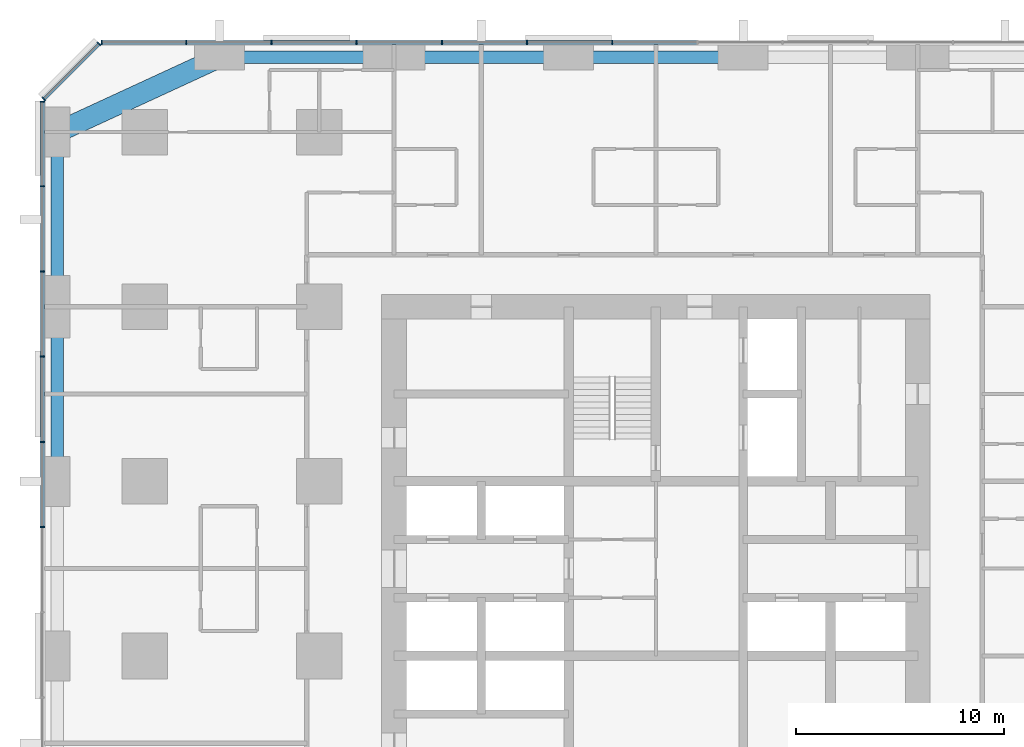
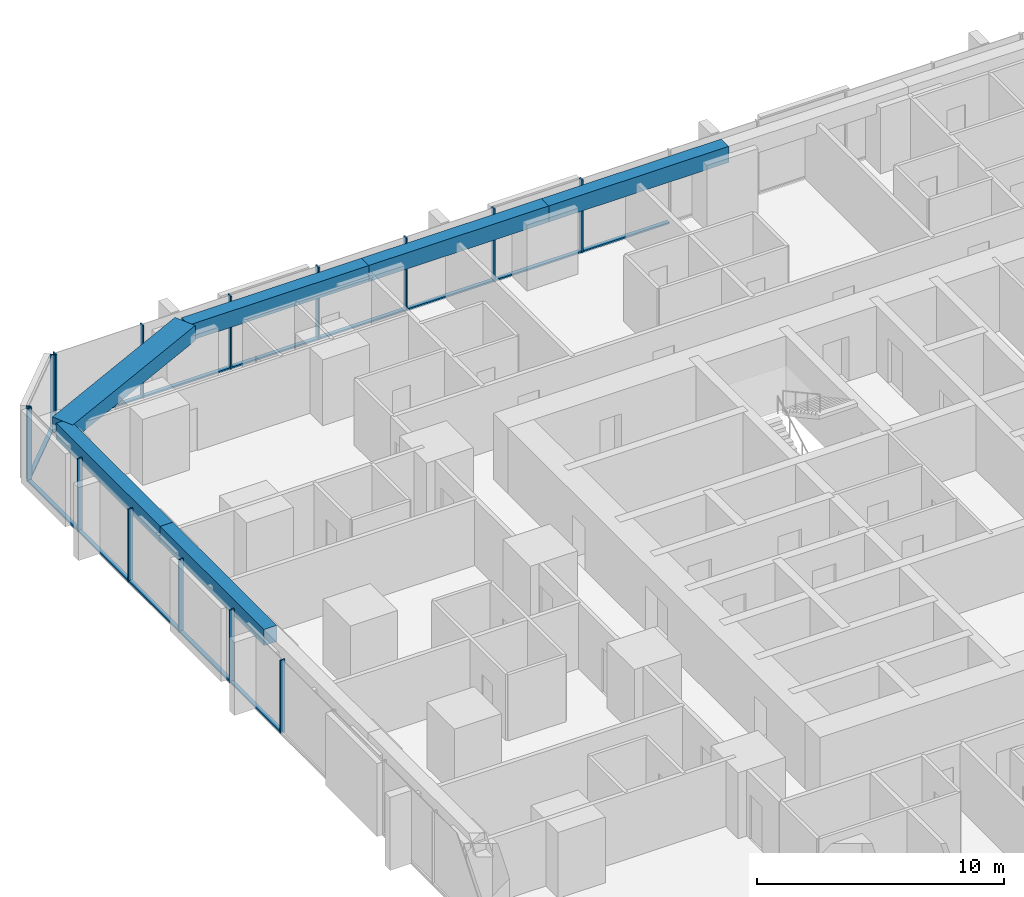
# One storey, part 5 of 13: 28 members, 6 beams, 3 elements without a shape of their own.
"""IFC4 building model written with IfcOpenShell, lengths in metres."""

from ifc_helpers import new_model, si_unit, direction, frame, origin, origin_2d, place, context, subcontext, project, spatial, rectangle, extrude, material, material_profile, profile_set, type_object, element, aggregate, save


model = new_model("IFC4")

# Units and contexts
model_context = context("Model", 3, precision=1e-05, world=origin(), true_north=direction((0.0, 1.0)))
body_context = subcontext(model_context, "Body", "Model", "MODEL_VIEW")
ifc_project = project(units=[si_unit("LENGTHUNIT", "METRE"), si_unit("AREAUNIT", "SQUARE_METRE"), si_unit("VOLUMEUNIT", "CUBIC_METRE"), si_unit("PLANEANGLEUNIT", "RADIAN"), si_unit("MASSUNIT", "GRAM", prefix="KILO")], contexts=[model_context])

# Site, building, storey
site_placement = place(None, origin())
site = spatial("IfcSite", under=ifc_project, at=site_placement, CompositionType="ELEMENT")
building_placement = place(site_placement, origin())
building = spatial("IfcBuilding", under=site, at=building_placement, Name="Dunama Terrace Hotel", CompositionType="ELEMENT")
storey_placement = place(building_placement, frame((0.0, 0.0, 144.0)))
storey = spatial("IfcBuildingStorey", under=building, at=storey_placement, Name="L37", CompositionType="ELEMENT", Elevation=144.0)

# Curtain wall, members
ifc_material_1 = material(Name="Aluminium curtain wall system", Category="aluminium")
curtain_wall_type = type_object("IfcCurtainWallType", Name="Unitised fritted glass wall CW-B", PredefinedType="NOTDEFINED", material=ifc_material_1)
curtain_wall_1_placement = place(storey_placement, origin())
curtain_wall_1 = element("IfcCurtainWall", 1, at=curtain_wall_1_placement, inside=storey, type_object=curtain_wall_type, Name="Unitised fritted glass wall CW-B L37", PredefinedType="NOTDEFINED")
ifc_material_2 = material(Name="Aluminium mullion", Category="aluminium")
ifc_material_profile_1 = material_profile(ifc_material_2, rectangle(XDim=0.06494140625, YDim=0.219970703125, at=origin_2d()), Name="CWB MULLION 65X220")
ifc_profile_set_1 = profile_set([ifc_material_profile_1], Name="Aluminium mullion")
member_type_1 = type_object("IfcMemberType", Name="CWB mullion 65x220", PredefinedType="MULLION", material=ifc_profile_set_1)
member_1_placement = place(storey_placement, frame((27.300048828125, 54.7099609375, 0.0), z_axis=(0.0, 0.0, 1.0), x_axis=(-1.0, 0.0, 0.0)))
member_1 = element("IfcMember", 2, at=member_1_placement, type_object=member_type_1, Name="CWB mullion", PredefinedType="MULLION", context=body_context, shape_type="SweptSolid", body=[
    extrude(rectangle(XDim=0.06494140625, YDim=0.219970703125, at=origin_2d()), origin(), (0.0, 0.0, 1.0), 3.60009765625),
])
member_2_placement = place(storey_placement, frame((23.199951171875, 54.7099609375, 0.0), z_axis=(0.0, 0.0, 1.0), x_axis=(-1.0, 0.0, 0.0)))
member_2 = element("IfcMember", 3, at=member_2_placement, type_object=member_type_1, Name="CWB mullion", PredefinedType="MULLION", context=body_context, shape_type="SweptSolid", body=[
    extrude(rectangle(XDim=0.06494140625, YDim=0.219970703125, at=origin_2d()), origin(), (0.0, 0.0, 1.0), 3.60009765625),
])
member_3_placement = place(storey_placement, frame((19.10009765625, 54.7099609375, 0.0), z_axis=(0.0, 0.0, 1.0), x_axis=(-1.0, 0.0, 0.0)))
member_3 = element("IfcMember", 4, at=member_3_placement, type_object=member_type_1, Name="CWB mullion", PredefinedType="MULLION", context=body_context, shape_type="SweptSolid", body=[
    extrude(rectangle(XDim=0.06494140625, YDim=0.219970703125, at=origin_2d()), origin(), (0.0, 0.0, 1.0), 3.60009765625),
])
member_4_placement = place(storey_placement, frame((15.0, 54.7099609375, 0.0), z_axis=(0.0, 0.0, 1.0), x_axis=(-1.0, 0.0, 0.0)))
member_4 = element("IfcMember", 5, at=member_4_placement, type_object=member_type_1, Name="CWB mullion", PredefinedType="MULLION", context=body_context, shape_type="SweptSolid", body=[
    extrude(rectangle(XDim=0.06494140625, YDim=0.219970703125, at=origin_2d()), origin(), (0.0, 0.0, 1.0), 3.60009765625),
])
member_5_placement = place(storey_placement, frame((10.89990234375, 54.7099609375, 0.0), z_axis=(0.0, 0.0, 1.0), x_axis=(-1.0, 0.0, 0.0)))
member_5 = element("IfcMember", 6, at=member_5_placement, type_object=member_type_1, Name="CWB mullion", PredefinedType="MULLION", context=body_context, shape_type="SweptSolid", body=[
    extrude(rectangle(XDim=0.06494140625, YDim=0.219970703125, at=origin_2d()), origin(), (0.0, 0.0, 1.0), 3.60009765625),
])
member_6_placement = place(storey_placement, frame((6.800048828125, 54.7099609375, 0.0), z_axis=(0.0, 0.0, 1.0), x_axis=(-1.0, 0.0, 0.0)))
member_6 = element("IfcMember", 7, at=member_6_placement, type_object=member_type_1, Name="CWB mullion", PredefinedType="MULLION", context=body_context, shape_type="SweptSolid", body=[
    extrude(rectangle(XDim=0.06494140625, YDim=0.219970703125, at=origin_2d()), origin(), (0.0, 0.0, 1.0), 3.60009765625),
])
member_7_placement = place(storey_placement, frame((2.73291015625, 54.7099609375, 0.0), z_axis=(0.0, 0.0, 1.0), x_axis=(-1.0, 0.0, 0.0)))
member_7 = element("IfcMember", 8, at=member_7_placement, type_object=member_type_1, Name="CWB mullion", PredefinedType="MULLION", context=body_context, shape_type="SweptSolid", body=[
    extrude(rectangle(XDim=0.06494140625, YDim=0.219970703125, at=origin_2d()), origin(), (0.0, 0.0, 1.0), 3.60009765625),
])

curtain_wall_2_placement = place(storey_placement, origin())
curtain_wall_2 = element("IfcCurtainWall", 9, at=curtain_wall_2_placement, inside=storey, type_object=curtain_wall_type, Name="Unitised fritted glass wall CW-B L37", PredefinedType="NOTDEFINED")
member_8_placement = place(storey_placement, frame((2.59912109375, 54.655029296875, 0.0), z_axis=(0.0, 0.0, 1.0), x_axis=(-0.707106781187, -0.707106781187, 0.0)))
member_8 = element("IfcMember", 10, at=member_8_placement, type_object=member_type_1, Name="CWB mullion", PredefinedType="MULLION", context=body_context, shape_type="SweptSolid", body=[
    extrude(rectangle(XDim=0.06494140625, YDim=0.219970703125, at=origin_2d()), origin(), (0.0, 0.0, 1.0), 3.60009765625),
])
member_9_placement = place(storey_placement, frame((-0.054931640625, 52.0009765625, 0.0), z_axis=(0.0, 0.0, 1.0), x_axis=(-0.707106781187, -0.707106781187, 0.0)))
member_9 = element("IfcMember", 11, at=member_9_placement, type_object=member_type_1, Name="CWB mullion", PredefinedType="MULLION", context=body_context, shape_type="SweptSolid", body=[
    extrude(rectangle(XDim=0.06494140625, YDim=0.219970703125, at=origin_2d()), origin(), (0.0, 0.0, 1.0), 3.60009765625),
])

curtain_wall_3_placement = place(storey_placement, origin())
curtain_wall_3 = element("IfcCurtainWall", 12, at=curtain_wall_3_placement, inside=storey, type_object=curtain_wall_type, Name="Unitised fritted glass wall CW-B L37", PredefinedType="NOTDEFINED")
member_10_placement = place(storey_placement, frame((-0.110107421875, 51.866943359375, 0.0), z_axis=(0.0, 0.0, 1.0), x_axis=(0.0, -1.0, 0.0)))
member_10 = element("IfcMember", 13, at=member_10_placement, type_object=member_type_1, Name="CWB mullion", PredefinedType="MULLION", context=body_context, shape_type="SweptSolid", body=[
    extrude(rectangle(XDim=0.06494140625, YDim=0.219970703125, at=origin_2d()), origin(), (0.0, 0.0, 1.0), 3.60009765625),
])
member_11_placement = place(storey_placement, frame((-0.110107421875, 47.800048828125, 0.0), z_axis=(0.0, 0.0, 1.0), x_axis=(0.0, -1.0, 0.0)))
member_11 = element("IfcMember", 14, at=member_11_placement, type_object=member_type_1, Name="CWB mullion", PredefinedType="MULLION", context=body_context, shape_type="SweptSolid", body=[
    extrude(rectangle(XDim=0.06494140625, YDim=0.219970703125, at=origin_2d()), origin(), (0.0, 0.0, 1.0), 3.60009765625),
])
member_12_placement = place(storey_placement, frame((-0.110107421875, 43.699951171875, 0.0), z_axis=(0.0, 0.0, 1.0), x_axis=(0.0, -1.0, 0.0)))
member_12 = element("IfcMember", 15, at=member_12_placement, type_object=member_type_1, Name="CWB mullion", PredefinedType="MULLION", context=body_context, shape_type="SweptSolid", body=[
    extrude(rectangle(XDim=0.06494140625, YDim=0.219970703125, at=origin_2d()), origin(), (0.0, 0.0, 1.0), 3.60009765625),
])
member_13_placement = place(storey_placement, frame((-0.110107421875, 39.60009765625, 0.0), z_axis=(0.0, 0.0, 1.0), x_axis=(0.0, -1.0, 0.0)))
member_13 = element("IfcMember", 16, at=member_13_placement, type_object=member_type_1, Name="CWB mullion", PredefinedType="MULLION", context=body_context, shape_type="SweptSolid", body=[
    extrude(rectangle(XDim=0.06494140625, YDim=0.219970703125, at=origin_2d()), origin(), (0.0, 0.0, 1.0), 3.60009765625),
])
member_14_placement = place(storey_placement, frame((-0.110107421875, 35.5, 0.0), z_axis=(0.0, 0.0, 1.0), x_axis=(0.0, -1.0, 0.0)))
member_14 = element("IfcMember", 17, at=member_14_placement, type_object=member_type_1, Name="CWB mullion", PredefinedType="MULLION", context=body_context, shape_type="SweptSolid", body=[
    extrude(rectangle(XDim=0.06494140625, YDim=0.219970703125, at=origin_2d()), origin(), (0.0, 0.0, 1.0), 3.60009765625),
])
member_15_placement = place(storey_placement, frame((-0.110107421875, 31.39990234375, 0.0), z_axis=(0.0, 0.0, 1.0), x_axis=(0.0, -1.0, 0.0)))
member_15 = element("IfcMember", 18, at=member_15_placement, type_object=member_type_1, Name="CWB mullion", PredefinedType="MULLION", context=body_context, shape_type="SweptSolid", body=[
    extrude(rectangle(XDim=0.06494140625, YDim=0.219970703125, at=origin_2d()), origin(), (0.0, 0.0, 1.0), 3.60009765625),
])

# Member
ifc_material_3 = material(Name="Aluminium transom", Category="aluminium")
ifc_material_profile_2 = material_profile(ifc_material_3, rectangle(XDim=0.179931640625, YDim=0.080078125, at=origin_2d()), Name="CWB TRANSOM 180X80")
ifc_profile_set_2 = profile_set([ifc_material_profile_2], Name="Aluminium transom")
member_type_2 = type_object("IfcMemberType", Name="CWB transom 180x80", PredefinedType="USERDEFINED", material=ifc_profile_set_2)
member_16_placement = place(storey_placement, frame((31.366943359375, 54.7099609375, 0.0400390625), z_axis=(-1.0, 0.0, 0.0), x_axis=(0.0, -1.0, 0.0)))
member_16 = element("IfcMember", 19, at=member_16_placement, type_object=member_type_2, Name="CWB transom", ObjectType="TRANSOM", PredefinedType="USERDEFINED", context=body_context, shape_type="SweptSolid", body=[
    extrude(rectangle(XDim=0.179931640625, YDim=0.080078125, at=origin_2d()), origin(), (0.0, 0.0, 1.0), 4.034912109375),
])

member_17_placement = place(storey_placement, frame((27.26806640625, 54.7099609375, 0.0400390625), z_axis=(-1.0, 0.0, 0.0), x_axis=(0.0, -1.0, 0.0)))
member_17 = element("IfcMember", 20, at=member_17_placement, type_object=member_type_2, Name="CWB transom", ObjectType="TRANSOM", PredefinedType="USERDEFINED", context=body_context, shape_type="SweptSolid", body=[
    extrude(rectangle(XDim=0.179931640625, YDim=0.080078125, at=origin_2d()), origin(), (0.0, 0.0, 1.0), 4.03515625),
])

member_18_placement = place(storey_placement, frame((23.16796875, 54.7099609375, 0.0400390625), z_axis=(-1.0, 0.0, 0.0), x_axis=(0.0, -1.0, 0.0)))
member_18 = element("IfcMember", 21, at=member_18_placement, type_object=member_type_2, Name="CWB transom", ObjectType="TRANSOM", PredefinedType="USERDEFINED", context=body_context, shape_type="SweptSolid", body=[
    extrude(rectangle(XDim=0.179931640625, YDim=0.080078125, at=origin_2d()), origin(), (0.0, 0.0, 1.0), 4.034912109375),
])

member_19_placement = place(storey_placement, frame((19.068115234375, 54.7099609375, 0.0400390625), z_axis=(-1.0, 0.0, 0.0), x_axis=(0.0, -1.0, 0.0)))
member_19 = element("IfcMember", 22, at=member_19_placement, type_object=member_type_2, Name="CWB transom", ObjectType="TRANSOM", PredefinedType="USERDEFINED", context=body_context, shape_type="SweptSolid", body=[
    extrude(rectangle(XDim=0.179931640625, YDim=0.080078125, at=origin_2d()), origin(), (0.0, 0.0, 1.0), 4.0361328125),
])

member_20_placement = place(storey_placement, frame((14.968017578125, 54.7099609375, 0.0400390625), z_axis=(-1.0, 0.0, 0.0), x_axis=(0.0, -1.0, 0.0)))
member_20 = element("IfcMember", 23, at=member_20_placement, type_object=member_type_2, Name="CWB transom", ObjectType="TRANSOM", PredefinedType="USERDEFINED", context=body_context, shape_type="SweptSolid", body=[
    extrude(rectangle(XDim=0.179931640625, YDim=0.080078125, at=origin_2d()), origin(), (0.0, 0.0, 1.0), 4.0361328125),
])

member_21_placement = place(storey_placement, frame((10.866943359375, 54.7099609375, 0.0400390625), z_axis=(-1.0, 0.0, 0.0), x_axis=(0.0, -1.0, 0.0)))
member_21 = element("IfcMember", 24, at=member_21_placement, type_object=member_type_2, Name="CWB transom", ObjectType="TRANSOM", PredefinedType="USERDEFINED", context=body_context, shape_type="SweptSolid", body=[
    extrude(rectangle(XDim=0.179931640625, YDim=0.080078125, at=origin_2d()), origin(), (0.0, 0.0, 1.0), 4.033935546875),
])

member_22_placement = place(storey_placement, frame((6.76806640625, 54.7099609375, 0.0400390625), z_axis=(-1.0, 0.0, 0.0), x_axis=(0.0, -1.0, 0.0)))
member_22 = element("IfcMember", 25, at=member_22_placement, type_object=member_type_2, Name="CWB transom", ObjectType="TRANSOM", PredefinedType="USERDEFINED", context=body_context, shape_type="SweptSolid", body=[
    extrude(rectangle(XDim=0.179931640625, YDim=0.080078125, at=origin_2d()), origin(), (0.0, 0.0, 1.0), 4.003173828125),
])

aggregate(curtain_wall_1, [member_1, member_2, member_3, member_4, member_5, member_6, member_7, member_16, member_17, member_18, member_19, member_20, member_21, member_22])

member_23_placement = place(storey_placement, frame((2.575927734375, 54.632080078125, 0.0400390625), z_axis=(-0.707073683909, -0.707139876915, 0.0), x_axis=(0.707139876915, -0.707073683909, 0.0)))
member_23 = element("IfcMember", 26, at=member_23_placement, type_object=member_type_2, Name="CWB transom", ObjectType="TRANSOM", PredefinedType="USERDEFINED", context=body_context, shape_type="SweptSolid", body=[
    extrude(rectangle(XDim=0.179931640625, YDim=0.080078125, at=origin_2d()), origin(), (0.0, 0.0, 1.0), 3.688232421875),
])

aggregate(curtain_wall_2, [member_8, member_9, member_23])

member_24_placement = place(storey_placement, frame((-0.110107421875, 51.8349609375, 0.0400390625), z_axis=(0.0, -1.0, 0.0), x_axis=(1.0, 0.0, 0.0)))
member_24 = element("IfcMember", 27, at=member_24_placement, type_object=member_type_2, Name="CWB transom", ObjectType="TRANSOM", PredefinedType="USERDEFINED", context=body_context, shape_type="SweptSolid", body=[
    extrude(rectangle(XDim=0.179931640625, YDim=0.080078125, at=origin_2d()), origin(), (0.0, 0.0, 1.0), 4.0029296875),
])

member_25_placement = place(storey_placement, frame((-0.110107421875, 47.76708984375, 0.0400390625), z_axis=(0.0, -1.0, 0.0), x_axis=(1.0, 0.0, 0.0)))
member_25 = element("IfcMember", 28, at=member_25_placement, type_object=member_type_2, Name="CWB transom", ObjectType="TRANSOM", PredefinedType="USERDEFINED", context=body_context, shape_type="SweptSolid", body=[
    extrude(rectangle(XDim=0.179931640625, YDim=0.080078125, at=origin_2d()), origin(), (0.0, 0.0, 1.0), 4.0341796875),
])

member_26_placement = place(storey_placement, frame((-0.110107421875, 43.6669921875, 0.0400390625), z_axis=(0.0, -1.0, 0.0), x_axis=(1.0, 0.0, 0.0)))
member_26 = element("IfcMember", 29, at=member_26_placement, type_object=member_type_2, Name="CWB transom", ObjectType="TRANSOM", PredefinedType="USERDEFINED", context=body_context, shape_type="SweptSolid", body=[
    extrude(rectangle(XDim=0.179931640625, YDim=0.080078125, at=origin_2d()), origin(), (0.0, 0.0, 1.0), 4.033935546875),
])

member_27_placement = place(storey_placement, frame((-0.110107421875, 39.56689453125, 0.0400390625), z_axis=(0.0, -1.0, 0.0), x_axis=(1.0, 0.0, 0.0)))
member_27 = element("IfcMember", 30, at=member_27_placement, type_object=member_type_2, Name="CWB transom", ObjectType="TRANSOM", PredefinedType="USERDEFINED", context=body_context, shape_type="SweptSolid", body=[
    extrude(rectangle(XDim=0.179931640625, YDim=0.080078125, at=origin_2d()), origin(), (0.0, 0.0, 1.0), 4.034912109375),
])

member_28_placement = place(storey_placement, frame((-0.110107421875, 35.468017578125, 0.0400390625), z_axis=(0.0, -1.0, 0.0), x_axis=(1.0, 0.0, 0.0)))
member_28 = element("IfcMember", 31, at=member_28_placement, type_object=member_type_2, Name="CWB transom", ObjectType="TRANSOM", PredefinedType="USERDEFINED", context=body_context, shape_type="SweptSolid", body=[
    extrude(rectangle(XDim=0.179931640625, YDim=0.080078125, at=origin_2d()), origin(), (0.0, 0.0, 1.0), 4.0361328125),
])

aggregate(curtain_wall_3, [member_10, member_11, member_12, member_13, member_14, member_15, member_24, member_25, member_26, member_27, member_28])

# Beams
ifc_material_4 = material(Name="Concrete C50/60", Category="concrete")
ifc_material_profile_3 = material_profile(ifc_material_4, rectangle(XDim=1.0, YDim=0.75, at=origin_2d()), Name="RC 1000x750")
ifc_profile_set_3 = profile_set([ifc_material_profile_3], Name="Concrete C50/60")
beam_type_1 = type_object("IfcBeamType", Name="Edge beam RC 1000x750", PredefinedType="SPANDREL", material=ifc_profile_set_3)
beam_1_placement = place(storey_placement, frame((8.39990234375, 54.0, 3.22509765625), z_axis=(-0.907951066374, -0.419076199598, 0.0), x_axis=(0.419076199598, -0.907951066374, 0.0)))
element("IfcBeam", 32, at=beam_1_placement, inside=storey, type_object=beam_type_1, Name="Corner edge beam under L38", PredefinedType="SPANDREL", context=body_context, shape_type="SweptSolid", body=[
    extrude(rectangle(XDim=1.0, YDim=0.75, at=origin_2d()), origin(), (0.0, 0.0, 1.0), 8.590576171875),
])
ifc_material_5 = material(Name="Concrete C40/50", Category="concrete")
ifc_material_profile_4 = material_profile(ifc_material_5, rectangle(XDim=0.60009765625, YDim=0.800048828125, at=origin_2d()), Name="RC 600x800")
ifc_profile_set_4 = profile_set([ifc_material_profile_4], Name="Concrete C40/50")
beam_type_2 = type_object("IfcBeamType", Name="Edge beam RC 600x800", PredefinedType="SPANDREL", material=ifc_profile_set_4)
for number, where, z_axis, x_axis, name in (
    (33, (0.60009765625, 33.60009765625, 3.199951171875), (0.0, 1.0, 0.0), (-1.0, 0.0, 0.0), "Edge beam under L38"),
    (34, (0.60009765625, 42.0, 3.199951171875), (0.0, 1.0, 0.0), (-1.0, 0.0, 0.0), "Edge beam under L38"),
):
    element("IfcBeam", number, at=place(storey_placement, frame(where, z_axis=z_axis, x_axis=x_axis)), inside=storey, type_object=beam_type_2, Name=name, PredefinedType="SPANDREL", context=body_context, shape_type="SweptSolid", body=[
        extrude(rectangle(XDim=0.60009765625, YDim=0.800048828125, at=origin_2d()), origin(), (0.0, 0.0, 1.0), 8.39990234375),
    ])
beam_2_placement = place(storey_placement, frame((8.39990234375, 54.0, 3.199951171875), z_axis=(1.0, 0.0, 0.0), x_axis=(0.0, 1.0, 0.0)))
element("IfcBeam", 35, at=beam_2_placement, inside=storey, type_object=beam_type_2, Name="Edge beam under L38", PredefinedType="SPANDREL", context=body_context, shape_type="SweptSolid", body=[
    extrude(rectangle(XDim=0.60009765625, YDim=0.800048828125, at=origin_2d()), origin(), (0.0, 0.0, 1.0), 8.400146484375),
])
beam_3_placement = place(storey_placement, frame((16.800048828125, 54.0, 3.199951171875), z_axis=(1.0, 0.0, 0.0), x_axis=(0.0, 1.0, 0.0)))
element("IfcBeam", 36, at=beam_3_placement, inside=storey, type_object=beam_type_2, Name="Edge beam under L38", PredefinedType="SPANDREL", context=body_context, shape_type="SweptSolid", body=[
    extrude(rectangle(XDim=0.60009765625, YDim=0.800048828125, at=origin_2d()), origin(), (0.0, 0.0, 1.0), 8.39990234375),
])
beam_4_placement = place(storey_placement, frame((25.199951171875, 54.0, 3.199951171875), z_axis=(1.0, 0.0, 0.0), x_axis=(0.0, 1.0, 0.0)))
element("IfcBeam", 37, at=beam_4_placement, inside=storey, type_object=beam_type_2, Name="Edge beam under L38", PredefinedType="SPANDREL", context=body_context, shape_type="SweptSolid", body=[
    extrude(rectangle(XDim=0.60009765625, YDim=0.800048828125, at=origin_2d()), origin(), (0.0, 0.0, 1.0), 8.400146484375),
])

save(model, "model.ifc")
